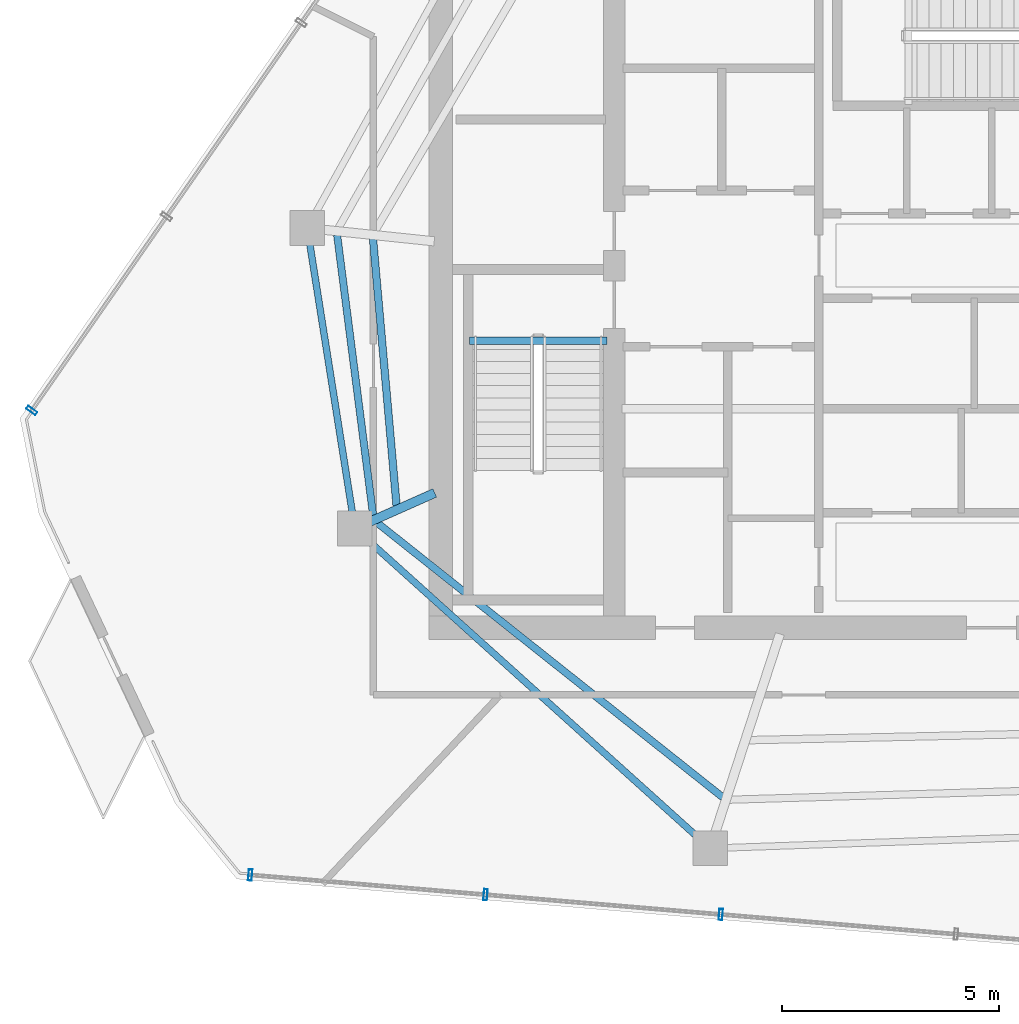
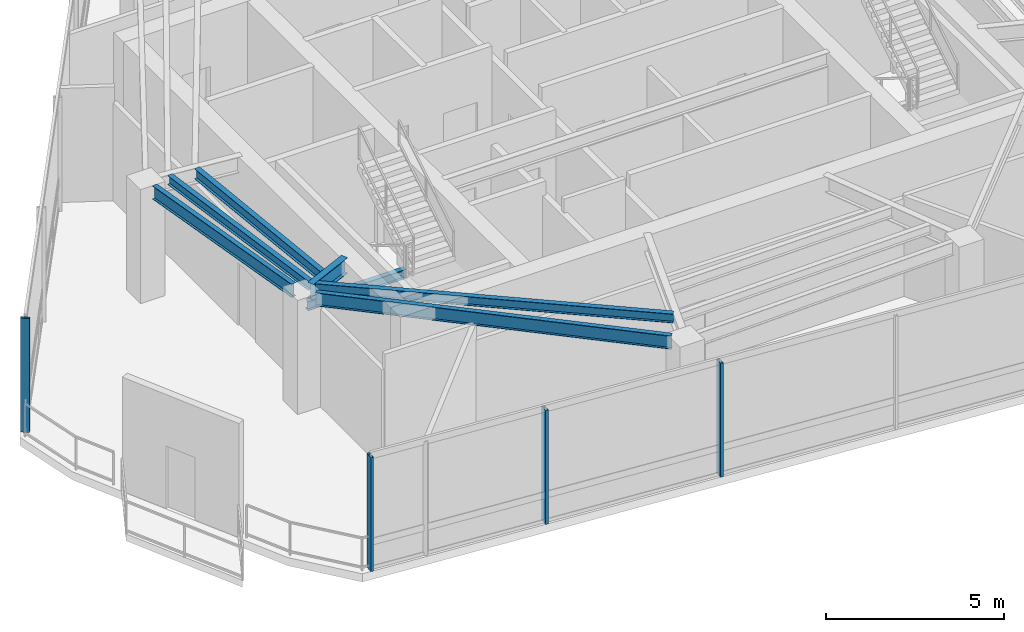
# One storey, part 2 of 19: 7 beams, 4 members, 2 elements without a shape of their own.
"""IFC4 building model written with IfcOpenShell, lengths in metres."""

from ifc_helpers import new_model, si_unit, direction, frame, origin, origin_2d, place, context, subcontext, project, spatial, hollow_rectangle, i_section, extrude, material, layer, layer_set, material_profile, profile_set, type_object, element, aggregate, save


model = new_model("IFC4")

# Units and contexts
model_context = context("Model", 3, precision=1e-05, world=origin(), true_north=direction((0.0, 1.0)))
body_context = subcontext(model_context, "Body", "Model", "MODEL_VIEW")
ifc_project = project(units=[si_unit("LENGTHUNIT", "METRE"), si_unit("AREAUNIT", "SQUARE_METRE"), si_unit("VOLUMEUNIT", "CUBIC_METRE"), si_unit("PLANEANGLEUNIT", "RADIAN"), si_unit("MASSUNIT", "GRAM", prefix="KILO")], contexts=[model_context])

# Site, building, storey
site_placement = place(None, origin())
site = spatial("IfcSite", under=ifc_project, at=site_placement, CompositionType="ELEMENT")
building_placement = place(site_placement, origin())
building = spatial("IfcBuilding", under=site, at=building_placement, Name="Qarnah Convention Tower", CompositionType="ELEMENT")
storey_placement = place(building_placement, frame((0.0, 0.0, 275.10009765625)))
storey = spatial("IfcBuildingStorey", under=building, at=storey_placement, Name="L74", CompositionType="ELEMENT", Elevation=275.10009765625)

# Beams
ifc_material_1 = material(Name="Structural steel S355JR", Category="steel")
ifc_material_profile_1 = material_profile(ifc_material_1, i_section(OverallWidth=0.166015625, OverallDepth=0.31201171875, WebThickness=0.007080078125, FlangeThickness=0.010986328125, at=origin_2d()), Name="W310X45")
ifc_profile_set_1 = profile_set([ifc_material_profile_1], Name="Structural steel S355JR")
beam_type_1 = type_object("IfcBeamType", Name="BM-JST-W310", PredefinedType="JOIST", material=ifc_profile_set_1)
beam_1_placement = place(storey_placement, frame((27.4599609375, 25.217041015625, -0.156005859375), z_axis=(1.0, 0.0, 0.0), x_axis=(0.0, 1.0, 0.0)))
element("IfcBeam", 1, at=beam_1_placement, inside=storey, type_object=beam_type_1, Name="L74 stair landing trimmer beam BM-L74-ST1-TRM", PredefinedType="BEAM", context=body_context, shape_type="SweptSolid", body=[
    extrude(i_section(OverallWidth=0.166015625, OverallDepth=0.31201171875, WebThickness=0.007080078125, FlangeThickness=0.010986328125, at=origin_2d()), origin(), (0.0, 0.0, 1.0), 3.179931640625),
])
beam_2_placement = place(storey_placement, frame((24.412109375, 27.656005859375, 3.763916015625), z_axis=(0.127426220111, -0.991848052087, 0.0), x_axis=(0.991848052087, 0.127426220111, 0.0)))
element("IfcBeam", 2, at=beam_2_placement, inside=storey, type_object=beam_type_1, Name="L74 joist BM-L74-SJST-05", PredefinedType="JOIST", context=body_context, shape_type="SweptSolid", body=[
    extrude(i_section(OverallWidth=0.166015625, OverallDepth=0.31201171875, WebThickness=0.007080078125, FlangeThickness=0.010986328125, at=origin_2d()), origin(), (0.0, 0.0, 1.0), 6.537109375),
])
beam_3_placement = place(storey_placement, frame((25.325927734375, 21.027099609375, 3.763916015625), z_axis=(0.783049084818, -0.621959910899, 0.0), x_axis=(0.621959910899, 0.783049084818, 0.0)))
element("IfcBeam", 3, at=beam_3_placement, inside=storey, type_object=beam_type_1, Name="L74 joist BM-L74-SJST-06", PredefinedType="JOIST", context=body_context, shape_type="SweptSolid", body=[
    extrude(i_section(OverallWidth=0.166015625, OverallDepth=0.31201171875, WebThickness=0.007080078125, FlangeThickness=0.010986328125, at=origin_2d()), origin(), (0.0, 0.0, 1.0), 10.192138671875),
])
ifc_material_profile_2 = material_profile(ifc_material_1, i_section(OverallWidth=0.172119140625, OverallDepth=0.35595703125, WebThickness=0.007080078125, FlangeThickness=0.011962890625, at=origin_2d()), Name="W360X51")
ifc_profile_set_2 = profile_set([ifc_material_profile_2], Name="Structural steel S355JR")
beam_type_2 = type_object("IfcBeamType", Name="BM-JST-W360", PredefinedType="JOIST", material=ifc_profile_set_2)
beam_4_placement = place(storey_placement, frame((25.239013671875, 27.568115234375, 3.741943359375), z_axis=(0.08799985905, -0.996120487093, 0.0), x_axis=(0.996120487093, 0.08799985905, 0.0)))
element("IfcBeam", 4, at=beam_4_placement, inside=storey, type_object=beam_type_2, Name="L74 joist BM-L74-IJST-05", PredefinedType="JOIST", context=body_context, shape_type="SweptSolid", body=[
    extrude(i_section(OverallWidth=0.172119140625, OverallDepth=0.35595703125, WebThickness=0.007080078125, FlangeThickness=0.011962890625, at=origin_2d()), origin(), (0.0, 0.0, 1.0), 6.18115234375),
])
ifc_material_profile_3 = material_profile(ifc_material_1, i_section(OverallWidth=0.2119140625, OverallDepth=0.5400390625, WebThickness=0.011962890625, FlangeThickness=0.01904296875, at=origin_2d()), Name="W530X109")
ifc_profile_set_3 = profile_set([ifc_material_profile_3], Name="Structural steel S355JR")
beam_type_3 = type_object("IfcBeamType", Name="BM-RAD-W530A", PredefinedType="BEAM", material=ifc_profile_set_3)
beam_5_placement = place(storey_placement, frame((26.6630859375, 21.708984375, 3.64990234375), z_axis=(-0.913688456795, -0.406415309652, 0.0), x_axis=(0.406415309652, -0.913688456795, 0.0)))
element("IfcBeam", 5, at=beam_5_placement, inside=storey, type_object=beam_type_3, Name="L74 beam BM-L74-RAD-06", PredefinedType="BEAM", context=body_context, shape_type="SweptSolid", body=[
    extrude(i_section(OverallWidth=0.2119140625, OverallDepth=0.5400390625, WebThickness=0.011962890625, FlangeThickness=0.01904296875, at=origin_2d()), origin(), (0.0, 0.0, 1.0), 1.636474609375),
])
ifc_material_profile_4 = material_profile(ifc_material_1, i_section(OverallWidth=0.154052734375, OverallDepth=0.4599609375, WebThickness=0.009033203125, FlangeThickness=0.014892578125, at=origin_2d()), Name="W460X68")
ifc_profile_set_4 = profile_set([ifc_material_profile_4], Name="Structural steel S355JR")
beam_type_4 = type_object("IfcBeamType", Name="BM-SPN-W460B", PredefinedType="SPANDREL", material=ifc_profile_set_4)
beam_6_placement = place(storey_placement, frame((23.784912109375, 27.430908203125, 3.68994140625), z_axis=(0.156423110156, -0.987690138965, 0.0), x_axis=(0.987690138965, 0.156423110156, 0.0)))
element("IfcBeam", 6, at=beam_6_placement, inside=storey, type_object=beam_type_4, Name="L74 spandrel BM-L74-SPN-05", PredefinedType="SPANDREL", context=body_context, shape_type="SweptSolid", body=[
    extrude(i_section(OverallWidth=0.154052734375, OverallDepth=0.4599609375, WebThickness=0.009033203125, FlangeThickness=0.014892578125, at=origin_2d()), origin(), (0.0, 0.0, 1.0), 6.233642578125),
])
beam_7_placement = place(storey_placement, frame((25.111083984375, 20.6279296875, 3.68994140625), z_axis=(0.743130570512, -0.669146437762, 0.0), x_axis=(0.669146437762, 0.743130570512, 0.0)))
element("IfcBeam", 7, at=beam_7_placement, inside=storey, type_object=beam_type_4, Name="L74 spandrel BM-L74-SPN-06", PredefinedType="SPANDREL", context=body_context, shape_type="SweptSolid", body=[
    extrude(i_section(OverallWidth=0.154052734375, OverallDepth=0.4599609375, WebThickness=0.009033203125, FlangeThickness=0.014892578125, at=origin_2d()), origin(), (0.0, 0.0, 1.0), 10.242919921875),
])

# Curtain wall, members
ifc_material_2 = material(Name="Tempered Low-E dark glass", Category="glass")
ifc_layer = layer(ifc_material_2, 0.177978515625)
ifc_layer_set = layer_set([ifc_layer], Name="Tempered Low-E dark glass")
curtain_wall_type = type_object("IfcCurtainWallType", Name="CWS-06", PredefinedType="NOTDEFINED", material=ifc_layer_set)
curtain_wall_1_placement = place(storey_placement, origin())
curtain_wall_1 = element("IfcCurtainWall", 8, at=curtain_wall_1_placement, inside=storey, type_object=curtain_wall_type, Name="L74 unitised curtain wall CW-L74-F2", PredefinedType="NOTDEFINED")
ifc_material_3 = material(Name="Black anodised aluminium", Category="aluminium")
ifc_material_profile_5 = material_profile(ifc_material_3, hollow_rectangle(XDim=0.0849609375, YDim=0.260009765625, WallThickness=0.006103515625, at=origin_2d()), Name="MUL-85X260")
ifc_profile_set_5 = profile_set([ifc_material_profile_5], Name="Black anodised aluminium")
member_type = type_object("IfcMemberType", Name="MUL-T6", PredefinedType="MULLION", material=ifc_profile_set_5)
member_1_placement = place(storey_placement, frame((33.258544921875, 11.9892578125, 0.0), z_axis=(0.0, 0.0, 1.0), x_axis=(-0.996494899207, 0.08365354657, 0.0)))
member_1 = element("IfcMember", 9, at=member_1_placement, type_object=member_type, Name="CW-L74-F2 mullion 4", PredefinedType="MULLION", context=body_context, shape_type="SweptSolid", body=[
    extrude(hollow_rectangle(XDim=0.0849609375, YDim=0.260009765625, WallThickness=0.006103515625, at=origin_2d()), origin(), (0.0, 0.0, 1.0), 3.919921875),
])
member_2_placement = place(storey_placement, frame((27.833740234375, 12.444580078125, 0.0), z_axis=(0.0, 0.0, 1.0), x_axis=(-0.996494899207, 0.08365354657, 0.0)))
member_2 = element("IfcMember", 10, at=member_2_placement, type_object=member_type, Name="CW-L74-F2 mullion 5", PredefinedType="MULLION", context=body_context, shape_type="SweptSolid", body=[
    extrude(hollow_rectangle(XDim=0.0849609375, YDim=0.260009765625, WallThickness=0.006103515625, at=origin_2d()), origin(), (0.0, 0.0, 1.0), 3.919921875),
])
member_3_placement = place(storey_placement, frame((22.408935546875, 12.89990234375, 0.0), z_axis=(0.0, 0.0, 1.0), x_axis=(-0.996494899207, 0.08365354657, 0.0)))
member_3 = element("IfcMember", 11, at=member_3_placement, type_object=member_type, Name="CW-L74-F2 mullion 6", PredefinedType="MULLION", context=body_context, shape_type="SweptSolid", body=[
    extrude(hollow_rectangle(XDim=0.0849609375, YDim=0.260009765625, WallThickness=0.006103515625, at=origin_2d()), origin(), (0.0, 0.0, 1.0), 3.919921875),
])
aggregate(curtain_wall_1, [member_1, member_2, member_3])

# Curtain wall, member
curtain_wall_2_placement = place(storey_placement, origin())
curtain_wall_2 = element("IfcCurtainWall", 12, at=curtain_wall_2_placement, inside=storey, type_object=curtain_wall_type, Name="L74 unitised curtain wall CW-L74-F3", PredefinedType="NOTDEFINED")
member_4_placement = place(storey_placement, frame((17.3701171875, 23.60888671875, 0.0), z_axis=(0.0, 0.0, 1.0), x_axis=(0.570722123713, 0.821143262473, 0.0)))
member_4 = element("IfcMember", 13, at=member_4_placement, type_object=member_type, Name="CW-L74-F3 mullion 1", PredefinedType="MULLION", context=body_context, shape_type="SweptSolid", body=[
    extrude(hollow_rectangle(XDim=0.0849609375, YDim=0.260009765625, WallThickness=0.006103515625, at=origin_2d()), origin(), (0.0, 0.0, 1.0), 3.919921875),
])
aggregate(curtain_wall_2, [member_4])

save(model, "model.ifc")
